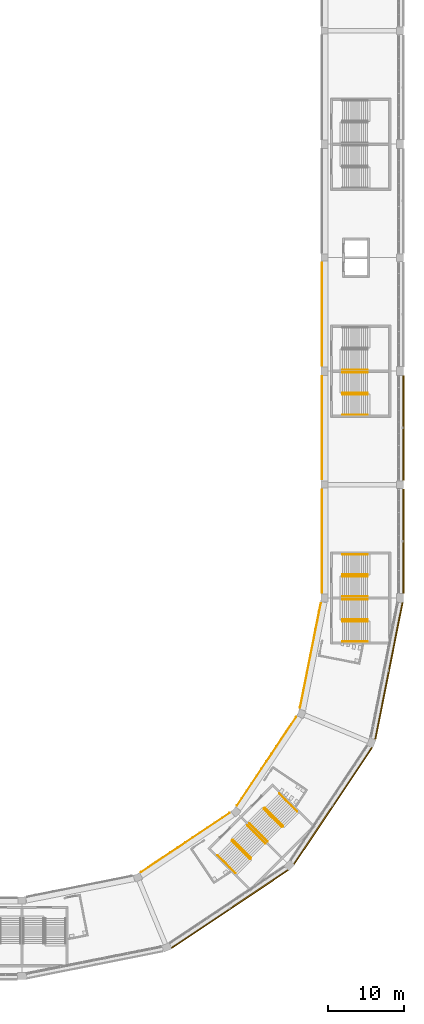
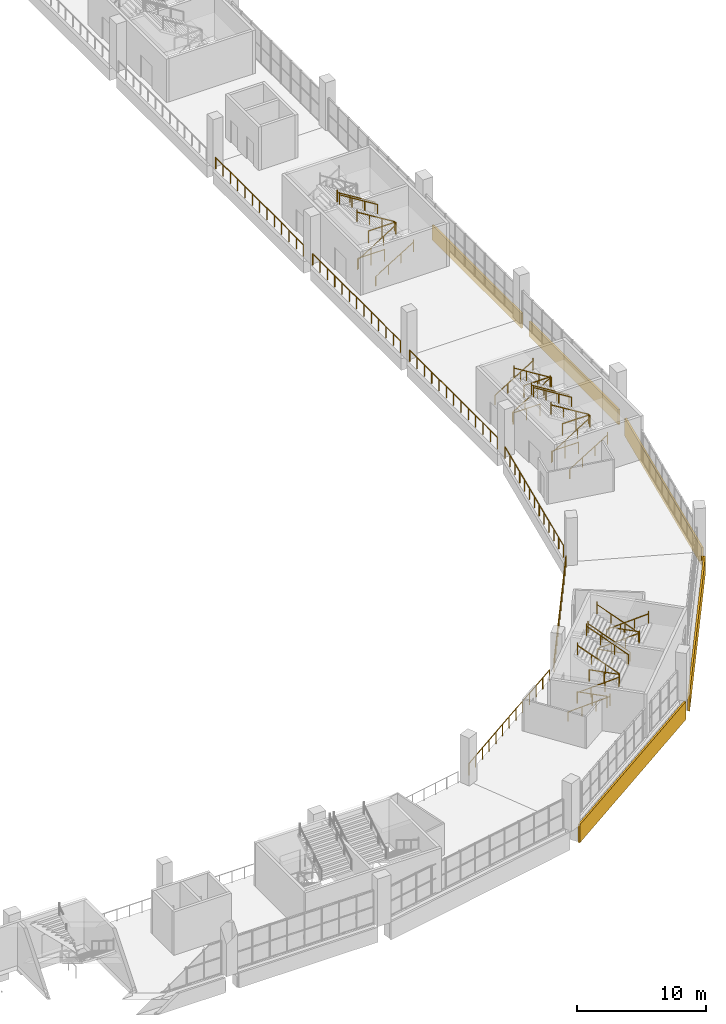
# One storey, part 167 of 177: 37 railings, 5 coverings.
"""IFC4 building model written with IfcOpenShell, lengths in metres."""

from ifc_helpers import new_model, si_unit, direction, frame, origin, origin_2d, place, context, subcontext, project, spatial, polyline, circle, outline, extrude, material, layer, layer_set, type_object, element, save


model = new_model("IFC4")

# Units and contexts
model_context = context("Model", 3, precision=1e-05, world=origin(), true_north=direction((0.0, 1.0)))
body_context = subcontext(model_context, "Body", "Model", "MODEL_VIEW")
ifc_project = project(units=[si_unit("LENGTHUNIT", "METRE"), si_unit("AREAUNIT", "SQUARE_METRE"), si_unit("VOLUMEUNIT", "CUBIC_METRE"), si_unit("PLANEANGLEUNIT", "RADIAN"), si_unit("MASSUNIT", "GRAM", prefix="KILO")], contexts=[model_context])

# Site, building, storey
site_placement = place(None, origin())
site = spatial("IfcSite", under=ifc_project, at=site_placement, CompositionType="ELEMENT")
building_placement = place(site_placement, origin())
building = spatial("IfcBuilding", under=site, at=building_placement, Name="Ogive Plaza Stadium", CompositionType="ELEMENT")
storey_placement = place(building_placement, frame((0.0, 0.0, 18.0)))
storey = spatial("IfcBuildingStorey", under=building, at=storey_placement, Name="L04", CompositionType="ELEMENT", Elevation=18.0)

# Railings
ifc_material_1 = material(Name="Steel ASTM A572 Grade 50", Category="steel")
railing_type_1 = type_object("IfcRailingType", Name="Guard 1100", PredefinedType="GUARDRAIL", material=ifc_material_1)
for number, where, name in (
    (1, (76.35009765625, -25.47509765625, 0.0), "Stair well guard ST06A L04"),
    (2, (77.31005859375, -25.47509765625, 2.25), "Stair well guard ST06A L04"),
    (3, (76.35009765625, -55.47509765625, 0.0), "Stair well guard ST08A L04"),
    (4, (77.31005859375, -55.47509765625, 2.25), "Stair well guard ST08A L04"),
    (5, (76.35009765625, -49.52490234375, 0.0), "Stair well guard ST08B L04"),
    (6, (77.31005859375, -49.52490234375, 2.25), "Stair well guard ST08B L04"),
):
    element("IfcRailing", number, at=place(storey_placement, frame(where)), inside=storey, type_object=railing_type_1, Name=name, PredefinedType="GUARDRAIL", context=body_context, shape_type="SweptSolid", body=[
        extrude(circle(Radius=0.02392578125, at=origin_2d()), frame((0.0, 0.0, 1.076171875), z_axis=(1.0, 0.0, 0.0), x_axis=(0.0, 1.0, 0.0)), (0.0, 0.0, 1.0), 2.39990234375),
        extrude(circle(Radius=0.02099609375, at=origin_2d()), origin(), (0.0, 0.0, 1.0), 1.052001953125),
        extrude(circle(Radius=0.02099609375, at=origin_2d()), frame((1.199951171875, 0.0, 0.0)), (0.0, 0.0, 1.0), 1.052001953125),
        extrude(circle(Radius=0.02099609375, at=origin_2d()), frame((2.39990234375, 0.0, 0.0)), (0.0, 0.0, 1.0), 1.052001953125),
    ])
for number, where, name in (
    (7, (61.84228515625, -84.549560546875, 0.0), "Stair well guard ST10A L04"),
    (8, (62.521240234375, -85.228515625, 2.25), "Stair well guard ST10A L04"),
    (9, (66.049560546875, -80.34228515625, 0.0), "Stair well guard ST10B L04"),
    (10, (66.728515625, -81.021240234375, 2.25), "Stair well guard ST10B L04"),
):
    element("IfcRailing", number, at=place(storey_placement, frame(where)), inside=storey, type_object=railing_type_1, Name=name, PredefinedType="GUARDRAIL", context=body_context, shape_type="SweptSolid", body=[
        extrude(circle(Radius=0.02392578125, at=origin_2d()), frame((0.0, 0.0, 1.076171875), z_axis=(0.707106781187, -0.707106781187, 0.0), x_axis=(0.707106781187, 0.707106781187, 0.0)), (0.0, 0.0, 1.0), 2.39990234375),
        extrude(circle(Radius=0.02099609375, at=origin_2d()), origin(), (0.0, 0.0, 1.0), 1.052001953125),
        extrude(circle(Radius=0.02099609375, at=origin_2d()), frame((0.8486328125, -0.8486328125, 0.0)), (0.0, 0.0, 1.0), 1.052001953125),
        extrude(circle(Radius=0.02099609375, at=origin_2d()), frame((1.697021484375, -1.697021484375, 0.0)), (0.0, 0.0, 1.0), 1.052001953125),
    ])
railing_1_placement = place(storey_placement, frame((73.64990234375, -8.199951171875, 0.0)))
element("IfcRailing", 11, at=railing_1_placement, inside=storey, type_object=railing_type_1, Name="Guard L04 B05", PredefinedType="GUARDRAIL", context=body_context, shape_type="SweptSolid", body=[
    extrude(circle(Radius=0.02392578125, at=origin_2d()), frame((0.0, 0.0, 1.076171875), z_axis=(0.0, -1.0, 0.0), x_axis=(1.0, 0.0, 0.0)), (0.0, 0.0, 1.0), 13.60009765625),
    extrude(circle(Radius=0.02099609375, at=origin_2d()), origin(), (0.0, 0.0, 1.0), 1.052001953125),
    extrude(circle(Radius=0.02099609375, at=origin_2d()), frame((0.0, -1.13330078125, 0.0)), (0.0, 0.0, 1.0), 1.052001953125),
    extrude(circle(Radius=0.02099609375, at=origin_2d()), frame((0.0, -2.2666015625, 0.0)), (0.0, 0.0, 1.0), 1.052001953125),
    extrude(circle(Radius=0.02099609375, at=origin_2d()), frame((0.0, -3.39990234375, 0.0)), (0.0, 0.0, 1.0), 1.052001953125),
    extrude(circle(Radius=0.02099609375, at=origin_2d()), frame((0.0, -4.533447265625, 0.0)), (0.0, 0.0, 1.0), 1.052001953125),
    extrude(circle(Radius=0.02099609375, at=origin_2d()), frame((0.0, -5.666748046875, 0.0)), (0.0, 0.0, 1.0), 1.052001953125),
    extrude(circle(Radius=0.02099609375, at=origin_2d()), frame((0.0, -6.800048828125, 0.0)), (0.0, 0.0, 1.0), 1.052001953125),
    extrude(circle(Radius=0.02099609375, at=origin_2d()), frame((0.0, -7.933349609375, 0.0)), (0.0, 0.0, 1.0), 1.052001953125),
    extrude(circle(Radius=0.02099609375, at=origin_2d()), frame((0.0, -9.066650390625, 0.0)), (0.0, 0.0, 1.0), 1.052001953125),
    extrude(circle(Radius=0.02099609375, at=origin_2d()), frame((0.0, -10.2001953125, 0.0)), (0.0, 0.0, 1.0), 1.052001953125),
    extrude(circle(Radius=0.02099609375, at=origin_2d()), frame((0.0, -11.33349609375, 0.0)), (0.0, 0.0, 1.0), 1.052001953125),
    extrude(circle(Radius=0.02099609375, at=origin_2d()), frame((0.0, -12.466796875, 0.0)), (0.0, 0.0, 1.0), 1.052001953125),
    extrude(circle(Radius=0.02099609375, at=origin_2d()), frame((0.0, -13.60009765625, 0.0)), (0.0, 0.0, 1.0), 1.052001953125),
])
railing_2_placement = place(storey_placement, frame((73.64990234375, -23.199951171875, 0.0)))
element("IfcRailing", 12, at=railing_2_placement, inside=storey, type_object=railing_type_1, Name="Guard L04 B06", PredefinedType="GUARDRAIL", context=body_context, shape_type="SweptSolid", body=[
    extrude(circle(Radius=0.02392578125, at=origin_2d()), frame((0.0, 0.0, 1.076171875), z_axis=(0.0, -1.0, 0.0), x_axis=(1.0, 0.0, 0.0)), (0.0, 0.0, 1.0), 13.60009765625),
    extrude(circle(Radius=0.02099609375, at=origin_2d()), origin(), (0.0, 0.0, 1.0), 1.052001953125),
    extrude(circle(Radius=0.02099609375, at=origin_2d()), frame((0.0, -1.13330078125, 0.0)), (0.0, 0.0, 1.0), 1.052001953125),
    extrude(circle(Radius=0.02099609375, at=origin_2d()), frame((0.0, -2.2666015625, 0.0)), (0.0, 0.0, 1.0), 1.052001953125),
    extrude(circle(Radius=0.02099609375, at=origin_2d()), frame((0.0, -3.39990234375, 0.0)), (0.0, 0.0, 1.0), 1.052001953125),
    extrude(circle(Radius=0.02099609375, at=origin_2d()), frame((0.0, -4.533447265625, 0.0)), (0.0, 0.0, 1.0), 1.052001953125),
    extrude(circle(Radius=0.02099609375, at=origin_2d()), frame((0.0, -5.666748046875, 0.0)), (0.0, 0.0, 1.0), 1.052001953125),
    extrude(circle(Radius=0.02099609375, at=origin_2d()), frame((0.0, -6.800048828125, 0.0)), (0.0, 0.0, 1.0), 1.052001953125),
    extrude(circle(Radius=0.02099609375, at=origin_2d()), frame((0.0, -7.933349609375, 0.0)), (0.0, 0.0, 1.0), 1.052001953125),
    extrude(circle(Radius=0.02099609375, at=origin_2d()), frame((0.0, -9.066650390625, 0.0)), (0.0, 0.0, 1.0), 1.052001953125),
    extrude(circle(Radius=0.02099609375, at=origin_2d()), frame((0.0, -10.2001953125, 0.0)), (0.0, 0.0, 1.0), 1.052001953125),
    extrude(circle(Radius=0.02099609375, at=origin_2d()), frame((0.0, -11.33349609375, 0.0)), (0.0, 0.0, 1.0), 1.052001953125),
    extrude(circle(Radius=0.02099609375, at=origin_2d()), frame((0.0, -12.466796875, 0.0)), (0.0, 0.0, 1.0), 1.052001953125),
    extrude(circle(Radius=0.02099609375, at=origin_2d()), frame((0.0, -13.60009765625, 0.0)), (0.0, 0.0, 1.0), 1.052001953125),
])
railing_3_placement = place(storey_placement, frame((73.64990234375, -38.199951171875, 0.0)))
element("IfcRailing", 13, at=railing_3_placement, inside=storey, type_object=railing_type_1, Name="Guard L04 B07", PredefinedType="GUARDRAIL", context=body_context, shape_type="SweptSolid", body=[
    extrude(circle(Radius=0.02392578125, at=origin_2d()), frame((0.0, 0.0, 1.076171875), z_axis=(0.0, -1.0, 0.0), x_axis=(1.0, 0.0, 0.0)), (0.0, 0.0, 1.0), 13.60009765625),
    extrude(circle(Radius=0.02099609375, at=origin_2d()), origin(), (0.0, 0.0, 1.0), 1.052001953125),
    extrude(circle(Radius=0.02099609375, at=origin_2d()), frame((0.0, -1.13330078125, 0.0)), (0.0, 0.0, 1.0), 1.052001953125),
    extrude(circle(Radius=0.02099609375, at=origin_2d()), frame((0.0, -2.2666015625, 0.0)), (0.0, 0.0, 1.0), 1.052001953125),
    extrude(circle(Radius=0.02099609375, at=origin_2d()), frame((0.0, -3.39990234375, 0.0)), (0.0, 0.0, 1.0), 1.052001953125),
    extrude(circle(Radius=0.02099609375, at=origin_2d()), frame((0.0, -4.533447265625, 0.0)), (0.0, 0.0, 1.0), 1.052001953125),
    extrude(circle(Radius=0.02099609375, at=origin_2d()), frame((0.0, -5.666748046875, 0.0)), (0.0, 0.0, 1.0), 1.052001953125),
    extrude(circle(Radius=0.02099609375, at=origin_2d()), frame((0.0, -6.800048828125, 0.0)), (0.0, 0.0, 1.0), 1.052001953125),
    extrude(circle(Radius=0.02099609375, at=origin_2d()), frame((0.0, -7.933349609375, 0.0)), (0.0, 0.0, 1.0), 1.052001953125),
    extrude(circle(Radius=0.02099609375, at=origin_2d()), frame((0.0, -9.066650390625, 0.0)), (0.0, 0.0, 1.0), 1.052001953125),
    extrude(circle(Radius=0.02099609375, at=origin_2d()), frame((0.0, -10.2001953125, 0.0)), (0.0, 0.0, 1.0), 1.052001953125),
    extrude(circle(Radius=0.02099609375, at=origin_2d()), frame((0.0, -11.33349609375, 0.0)), (0.0, 0.0, 1.0), 1.052001953125),
    extrude(circle(Radius=0.02099609375, at=origin_2d()), frame((0.0, -12.466796875, 0.0)), (0.0, 0.0, 1.0), 1.052001953125),
    extrude(circle(Radius=0.02099609375, at=origin_2d()), frame((0.0, -13.60009765625, 0.0)), (0.0, 0.0, 1.0), 1.052001953125),
])
railing_4_placement = place(storey_placement, frame((73.513427734375, -53.1865234375, 0.0)))
element("IfcRailing", 14, at=railing_4_placement, inside=storey, type_object=railing_type_1, Name="Guard L04 B08", PredefinedType="GUARDRAIL", context=body_context, shape_type="SweptSolid", body=[
    extrude(circle(Radius=0.02392578125, at=origin_2d()), frame((0.0, 0.0, 1.076171875), z_axis=(-0.195094987408, -0.980784352387, 0.0), x_axis=(0.980784352387, -0.195094987408, 0.0)), (0.0, 0.0, 1.0), 14.070556640625),
    extrude(circle(Radius=0.02099609375, at=origin_2d()), origin(), (0.0, 0.0, 1.0), 1.052001953125),
    extrude(circle(Radius=0.02099609375, at=origin_2d()), frame((-0.228759765625, -1.14990234375, 0.0)), (0.0, 0.0, 1.0), 1.052001953125),
    extrude(circle(Radius=0.02099609375, at=origin_2d()), frame((-0.45751953125, -2.300048828125, 0.0)), (0.0, 0.0, 1.0), 1.052001953125),
    extrude(circle(Radius=0.02099609375, at=origin_2d()), frame((-0.686279296875, -3.4501953125, 0.0)), (0.0, 0.0, 1.0), 1.052001953125),
    extrude(circle(Radius=0.02099609375, at=origin_2d()), frame((-0.9150390625, -4.60009765625, 0.0)), (0.0, 0.0, 1.0), 1.052001953125),
    extrude(circle(Radius=0.02099609375, at=origin_2d()), frame((-1.143798828125, -5.75, 0.0)), (0.0, 0.0, 1.0), 1.052001953125),
    extrude(circle(Radius=0.02099609375, at=origin_2d()), frame((-1.37255859375, -6.900146484375, 0.0)), (0.0, 0.0, 1.0), 1.052001953125),
    extrude(circle(Radius=0.02099609375, at=origin_2d()), frame((-1.601318359375, -8.05029296875, 0.0)), (0.0, 0.0, 1.0), 1.052001953125),
    extrude(circle(Radius=0.02099609375, at=origin_2d()), frame((-1.830078125, -9.2001953125, 0.0)), (0.0, 0.0, 1.0), 1.052001953125),
    extrude(circle(Radius=0.02099609375, at=origin_2d()), frame((-2.058837890625, -10.35009765625, 0.0)), (0.0, 0.0, 1.0), 1.052001953125),
    extrude(circle(Radius=0.02099609375, at=origin_2d()), frame((-2.28759765625, -11.500244140625, 0.0)), (0.0, 0.0, 1.0), 1.052001953125),
    extrude(circle(Radius=0.02099609375, at=origin_2d()), frame((-2.516357421875, -12.650390625, 0.0)), (0.0, 0.0, 1.0), 1.052001953125),
    extrude(circle(Radius=0.02099609375, at=origin_2d()), frame((-2.7451171875, -13.80029296875, 0.0)), (0.0, 0.0, 1.0), 1.052001953125),
])
railing_5_placement = place(storey_placement, frame((70.242919921875, -68.25537109375, 0.0)))
element("IfcRailing", 15, at=railing_5_placement, inside=storey, type_object=railing_type_1, Name="Guard L04 B09", PredefinedType="GUARDRAIL", context=body_context, shape_type="SweptSolid", body=[
    extrude(circle(Radius=0.02392578125, at=origin_2d()), frame((0.0, 0.0, 1.076171875), z_axis=(-0.555560774478, -0.83147593222, 0.0), x_axis=(0.83147593222, -0.555560774478, 0.0)), (0.0, 0.0, 1.0), 14.07080078125),
    extrude(circle(Radius=0.02099609375, at=origin_2d()), origin(), (0.0, 0.0, 1.0), 1.052001953125),
    extrude(circle(Radius=0.02099609375, at=origin_2d()), frame((-0.6513671875, -0.974853515625, 0.0)), (0.0, 0.0, 1.0), 1.052001953125),
    extrude(circle(Radius=0.02099609375, at=origin_2d()), frame((-1.302734375, -1.949951171875, 0.0)), (0.0, 0.0, 1.0), 1.052001953125),
    extrude(circle(Radius=0.02099609375, at=origin_2d()), frame((-1.954345703125, -2.9248046875, 0.0)), (0.0, 0.0, 1.0), 1.052001953125),
    extrude(circle(Radius=0.02099609375, at=origin_2d()), frame((-2.605712890625, -3.89990234375, 0.0)), (0.0, 0.0, 1.0), 1.052001953125),
    extrude(circle(Radius=0.02099609375, at=origin_2d()), frame((-3.257080078125, -4.874755859375, 0.0)), (0.0, 0.0, 1.0), 1.052001953125),
    extrude(circle(Radius=0.02099609375, at=origin_2d()), frame((-3.90869140625, -5.849609375, 0.0)), (0.0, 0.0, 1.0), 1.052001953125),
    extrude(circle(Radius=0.02099609375, at=origin_2d()), frame((-4.56005859375, -6.82470703125, 0.0)), (0.0, 0.0, 1.0), 1.052001953125),
    extrude(circle(Radius=0.02099609375, at=origin_2d()), frame((-5.21142578125, -7.799560546875, 0.0)), (0.0, 0.0, 1.0), 1.052001953125),
    extrude(circle(Radius=0.02099609375, at=origin_2d()), frame((-5.86279296875, -8.774658203125, 0.0)), (0.0, 0.0, 1.0), 1.052001953125),
    extrude(circle(Radius=0.02099609375, at=origin_2d()), frame((-6.51416015625, -9.74951171875, 0.0)), (0.0, 0.0, 1.0), 1.052001953125),
    extrude(circle(Radius=0.02099609375, at=origin_2d()), frame((-7.165771484375, -10.724609375, 0.0)), (0.0, 0.0, 1.0), 1.052001953125),
    extrude(circle(Radius=0.02099609375, at=origin_2d()), frame((-7.817138671875, -11.699462890625, 0.0)), (0.0, 0.0, 1.0), 1.052001953125),
])
railing_6_placement = place(storey_placement, frame((61.454833984375, -80.92578125, 0.0)))
element("IfcRailing", 16, at=railing_6_placement, inside=storey, type_object=railing_type_1, Name="Guard L04 B10", PredefinedType="GUARDRAIL", context=body_context, shape_type="SweptSolid", body=[
    extrude(circle(Radius=0.02392578125, at=origin_2d()), frame((0.0, 0.0, 1.076171875), z_axis=(-0.83147593222, -0.555560774478, 0.0), x_axis=(0.555560774478, -0.83147593222, 0.0)), (0.0, 0.0, 1.0), 14.07080078125),
    extrude(circle(Radius=0.02099609375, at=origin_2d()), origin(), (0.0, 0.0, 1.0), 1.052001953125),
    extrude(circle(Radius=0.02099609375, at=origin_2d()), frame((-0.974853515625, -0.6513671875, 0.0)), (0.0, 0.0, 1.0), 1.052001953125),
    extrude(circle(Radius=0.02099609375, at=origin_2d()), frame((-1.949951171875, -1.302734375, 0.0)), (0.0, 0.0, 1.0), 1.052001953125),
    extrude(circle(Radius=0.02099609375, at=origin_2d()), frame((-2.9248046875, -1.954345703125, 0.0)), (0.0, 0.0, 1.0), 1.052001953125),
    extrude(circle(Radius=0.02099609375, at=origin_2d()), frame((-3.89990234375, -2.605712890625, 0.0)), (0.0, 0.0, 1.0), 1.052001953125),
    extrude(circle(Radius=0.02099609375, at=origin_2d()), frame((-4.874755859375, -3.257080078125, 0.0)), (0.0, 0.0, 1.0), 1.052001953125),
    extrude(circle(Radius=0.02099609375, at=origin_2d()), frame((-5.849609375, -3.90869140625, 0.0)), (0.0, 0.0, 1.0), 1.052001953125),
    extrude(circle(Radius=0.02099609375, at=origin_2d()), frame((-6.82470703125, -4.56005859375, 0.0)), (0.0, 0.0, 1.0), 1.052001953125),
    extrude(circle(Radius=0.02099609375, at=origin_2d()), frame((-7.799560546875, -5.21142578125, 0.0)), (0.0, 0.0, 1.0), 1.052001953125),
    extrude(circle(Radius=0.02099609375, at=origin_2d()), frame((-8.774658203125, -5.86279296875, 0.0)), (0.0, 0.0, 1.0), 1.052001953125),
    extrude(circle(Radius=0.02099609375, at=origin_2d()), frame((-9.74951171875, -6.51416015625, 0.0)), (0.0, 0.0, 1.0), 1.052001953125),
    extrude(circle(Radius=0.02099609375, at=origin_2d()), frame((-10.724609375, -7.165771484375, 0.0)), (0.0, 0.0, 1.0), 1.052001953125),
    extrude(circle(Radius=0.02099609375, at=origin_2d()), frame((-11.699462890625, -7.817138671875, 0.0)), (0.0, 0.0, 1.0), 1.052001953125),
])
ifc_material_2 = material(Name="Steel ASTM A572 Grade 50", Category="steel")
railing_type_2 = type_object("IfcRailingType", Name="Handrail 900", PredefinedType="HANDRAIL", material=ifc_material_2)
for number, where, name in (
    (17, (76.35009765625, -28.264892578125, 0.173095703125), "Handrail ST06A L04"),
    (18, (76.35009765625, -25.5849609375, 0.173095703125), "Handrail ST06A L04"),
):
    element("IfcRailing", number, at=place(storey_placement, frame(where)), inside=storey, type_object=railing_type_2, Name=name, PredefinedType="HANDRAIL", context=body_context, shape_type="SweptSolid", body=[
        extrude(circle(Radius=0.02392578125, at=origin_2d()), frame((0.0, 0.0, 0.8759765625), z_axis=(0.850606129759, 0.0, 0.525803396734), x_axis=(0.0, 1.0, 0.0)), (0.0, 0.0, 1.0), 3.949951171875),
        extrude(circle(Radius=0.02099609375, at=origin_2d()), origin(), (0.0, 0.0, 1.0), 0.851806640625),
        extrude(circle(Radius=0.02099609375, at=origin_2d()), frame((1.119873046875, 0.0, 0.6923828125)), (0.0, 0.0, 1.0), 0.851806640625),
        extrude(circle(Radius=0.02099609375, at=origin_2d()), frame((2.239990234375, 0.0, 1.384521484375)), (0.0, 0.0, 1.0), 0.851806640625),
        extrude(circle(Radius=0.02099609375, at=origin_2d()), frame((3.35986328125, 0.0, 2.076904296875)), (0.0, 0.0, 1.0), 1.10009765625),
    ])
for number, where, name in (
    (19, (79.7099609375, -25.364990234375, 2.423095703125), "Handrail ST06A L04"),
    (20, (79.7099609375, -22.68505859375, 2.423095703125), "Handrail ST06A L04"),
    (21, (79.7099609375, -22.31494140625, 2.423095703125), "Handrail ST06B L04"),
):
    element("IfcRailing", number, at=place(storey_placement, frame(where)), inside=storey, type_object=railing_type_2, Name=name, PredefinedType="HANDRAIL", context=body_context, shape_type="SweptSolid", body=[
        extrude(circle(Radius=0.02392578125, at=origin_2d()), frame((0.0, 0.0, 0.8759765625), z_axis=(-0.850606129759, 0.0, 0.525803396734), x_axis=(0.0, -1.0, 0.0)), (0.0, 0.0, 1.0), 3.949951171875),
        extrude(circle(Radius=0.02099609375, at=origin_2d()), origin(), (0.0, 0.0, 1.0), 0.851806640625),
        extrude(circle(Radius=0.02099609375, at=origin_2d()), frame((-1.119873046875, 0.0, 0.6923828125)), (0.0, 0.0, 1.0), 0.851806640625),
        extrude(circle(Radius=0.02099609375, at=origin_2d()), frame((-2.239990234375, 0.0, 1.384521484375)), (0.0, 0.0, 1.0), 0.851806640625),
        extrude(circle(Radius=0.02099609375, at=origin_2d()), frame((-3.35986328125, 0.0, 2.076904296875)), (0.0, 0.0, 1.0), 1.10009765625),
    ])
for number, where, name in (
    (22, (76.35009765625, -58.264892578125, 0.173095703125), "Handrail ST08A L04"),
    (23, (76.35009765625, -55.5849609375, 0.173095703125), "Handrail ST08A L04"),
):
    element("IfcRailing", number, at=place(storey_placement, frame(where)), inside=storey, type_object=railing_type_2, Name=name, PredefinedType="HANDRAIL", context=body_context, shape_type="SweptSolid", body=[
        extrude(circle(Radius=0.02392578125, at=origin_2d()), frame((0.0, 0.0, 0.8759765625), z_axis=(0.850606129759, 0.0, 0.525803396734), x_axis=(0.0, 1.0, 0.0)), (0.0, 0.0, 1.0), 3.949951171875),
        extrude(circle(Radius=0.02099609375, at=origin_2d()), origin(), (0.0, 0.0, 1.0), 0.851806640625),
        extrude(circle(Radius=0.02099609375, at=origin_2d()), frame((1.119873046875, 0.0, 0.6923828125)), (0.0, 0.0, 1.0), 0.851806640625),
        extrude(circle(Radius=0.02099609375, at=origin_2d()), frame((2.239990234375, 0.0, 1.384521484375)), (0.0, 0.0, 1.0), 0.851806640625),
        extrude(circle(Radius=0.02099609375, at=origin_2d()), frame((3.35986328125, 0.0, 2.076904296875)), (0.0, 0.0, 1.0), 1.10009765625),
    ])
for number, where, name in (
    (24, (79.7099609375, -55.364990234375, 2.423095703125), "Handrail ST08A L04"),
    (25, (79.7099609375, -52.68505859375, 2.423095703125), "Handrail ST08A L04"),
):
    element("IfcRailing", number, at=place(storey_placement, frame(where)), inside=storey, type_object=railing_type_2, Name=name, PredefinedType="HANDRAIL", context=body_context, shape_type="SweptSolid", body=[
        extrude(circle(Radius=0.02392578125, at=origin_2d()), frame((0.0, 0.0, 0.8759765625), z_axis=(-0.850606129759, 0.0, 0.525803396734), x_axis=(0.0, -1.0, 0.0)), (0.0, 0.0, 1.0), 3.949951171875),
        extrude(circle(Radius=0.02099609375, at=origin_2d()), origin(), (0.0, 0.0, 1.0), 0.851806640625),
        extrude(circle(Radius=0.02099609375, at=origin_2d()), frame((-1.119873046875, 0.0, 0.6923828125)), (0.0, 0.0, 1.0), 0.851806640625),
        extrude(circle(Radius=0.02099609375, at=origin_2d()), frame((-2.239990234375, 0.0, 1.384521484375)), (0.0, 0.0, 1.0), 0.851806640625),
        extrude(circle(Radius=0.02099609375, at=origin_2d()), frame((-3.35986328125, 0.0, 2.076904296875)), (0.0, 0.0, 1.0), 1.10009765625),
    ])
for number, where, name in (
    (26, (76.35009765625, -49.4150390625, 0.173095703125), "Handrail ST08B L04"),
    (27, (76.35009765625, -46.735107421875, 0.173095703125), "Handrail ST08B L04"),
):
    element("IfcRailing", number, at=place(storey_placement, frame(where)), inside=storey, type_object=railing_type_2, Name=name, PredefinedType="HANDRAIL", context=body_context, shape_type="SweptSolid", body=[
        extrude(circle(Radius=0.02392578125, at=origin_2d()), frame((0.0, 0.0, 0.8759765625), z_axis=(0.850606129759, 0.0, 0.525803396734), x_axis=(0.0, 1.0, 0.0)), (0.0, 0.0, 1.0), 3.949951171875),
        extrude(circle(Radius=0.02099609375, at=origin_2d()), origin(), (0.0, 0.0, 1.0), 0.851806640625),
        extrude(circle(Radius=0.02099609375, at=origin_2d()), frame((1.119873046875, 0.0, 0.6923828125)), (0.0, 0.0, 1.0), 0.851806640625),
        extrude(circle(Radius=0.02099609375, at=origin_2d()), frame((2.239990234375, 0.0, 1.384521484375)), (0.0, 0.0, 1.0), 0.851806640625),
        extrude(circle(Radius=0.02099609375, at=origin_2d()), frame((3.35986328125, 0.0, 2.076904296875)), (0.0, 0.0, 1.0), 1.10009765625),
    ])
for number, where, name in (
    (28, (79.7099609375, -52.31494140625, 2.423095703125), "Handrail ST08B L04"),
    (29, (79.7099609375, -49.635009765625, 2.423095703125), "Handrail ST08B L04"),
):
    element("IfcRailing", number, at=place(storey_placement, frame(where)), inside=storey, type_object=railing_type_2, Name=name, PredefinedType="HANDRAIL", context=body_context, shape_type="SweptSolid", body=[
        extrude(circle(Radius=0.02392578125, at=origin_2d()), frame((0.0, 0.0, 0.8759765625), z_axis=(-0.850606129759, 0.0, 0.525803396734), x_axis=(0.0, -1.0, 0.0)), (0.0, 0.0, 1.0), 3.949951171875),
        extrude(circle(Radius=0.02099609375, at=origin_2d()), origin(), (0.0, 0.0, 1.0), 0.851806640625),
        extrude(circle(Radius=0.02099609375, at=origin_2d()), frame((-1.119873046875, 0.0, 0.6923828125)), (0.0, 0.0, 1.0), 0.851806640625),
        extrude(circle(Radius=0.02099609375, at=origin_2d()), frame((-2.239990234375, 0.0, 1.384521484375)), (0.0, 0.0, 1.0), 0.851806640625),
        extrude(circle(Radius=0.02099609375, at=origin_2d()), frame((-3.35986328125, 0.0, 2.076904296875)), (0.0, 0.0, 1.0), 1.10009765625),
    ])
railing_7_placement = place(storey_placement, frame((59.869384765625, -86.5224609375, 0.173095703125)))
element("IfcRailing", 30, at=railing_7_placement, inside=storey, type_object=railing_type_2, Name="Handrail ST10A L04", PredefinedType="HANDRAIL", context=body_context, shape_type="SweptSolid", body=[
    extrude(circle(Radius=0.02392578125, at=origin_2d()), frame((0.0, 0.0, 0.8759765625), z_axis=(0.601482971545, -0.601482971545, 0.525772260474), x_axis=(0.707106781187, 0.707106781187, 0.0)), (0.0, 0.0, 1.0), 3.9501953125),
    extrude(circle(Radius=0.02099609375, at=origin_2d()), origin(), (0.0, 0.0, 1.0), 0.851806640625),
    extrude(circle(Radius=0.02099609375, at=origin_2d()), frame((0.7919921875, -0.7919921875, 0.6923828125)), (0.0, 0.0, 1.0), 0.851806640625),
    extrude(circle(Radius=0.02099609375, at=origin_2d()), frame((1.583984375, -1.583984375, 1.384521484375)), (0.0, 0.0, 1.0), 0.851806640625),
    extrude(circle(Radius=0.02099609375, at=origin_2d()), frame((2.3759765625, -2.3759765625, 2.076904296875)), (0.0, 0.0, 1.0), 1.10009765625),
])
railing_8_placement = place(storey_placement, frame((61.7646484375, -84.62744140625, 0.173095703125)))
element("IfcRailing", 31, at=railing_8_placement, inside=storey, type_object=railing_type_2, Name="Handrail ST10A L04", PredefinedType="HANDRAIL", context=body_context, shape_type="SweptSolid", body=[
    extrude(circle(Radius=0.02392578125, at=origin_2d()), frame((0.0, 0.0, 0.8759765625), z_axis=(0.601465884576, -0.601465884576, 0.525811353416), x_axis=(0.707106781187, 0.707106781187, 0.0)), (0.0, 0.0, 1.0), 3.949951171875),
    extrude(circle(Radius=0.02099609375, at=origin_2d()), origin(), (0.0, 0.0, 1.0), 0.851806640625),
    extrude(circle(Radius=0.02099609375, at=origin_2d()), frame((0.7919921875, -0.7919921875, 0.6923828125)), (0.0, 0.0, 1.0), 0.851806640625),
    extrude(circle(Radius=0.02099609375, at=origin_2d()), frame((1.583740234375, -1.583740234375, 1.384521484375)), (0.0, 0.0, 1.0), 0.851806640625),
    extrude(circle(Radius=0.02099609375, at=origin_2d()), frame((2.375732421875, -2.375732421875, 2.076904296875)), (0.0, 0.0, 1.0), 1.10009765625),
])
for number, where, name in (
    (32, (64.2958984375, -86.84765625, 2.423095703125), "Handrail ST10A L04"),
    (33, (66.19091796875, -84.95263671875, 2.423095703125), "Handrail ST10A L04"),
):
    element("IfcRailing", number, at=place(storey_placement, frame(where)), inside=storey, type_object=railing_type_2, Name=name, PredefinedType="HANDRAIL", context=body_context, shape_type="SweptSolid", body=[
        extrude(circle(Radius=0.02392578125, at=origin_2d()), frame((0.0, 0.0, 0.8759765625), z_axis=(-0.601465884576, 0.601465884576, 0.525811353416), x_axis=(-0.707106781187, -0.707106781187, 0.0)), (0.0, 0.0, 1.0), 3.949951171875),
        extrude(circle(Radius=0.02099609375, at=origin_2d()), origin(), (0.0, 0.0, 1.0), 0.851806640625),
        extrude(circle(Radius=0.02099609375, at=origin_2d()), frame((-0.7919921875, 0.7919921875, 0.6923828125)), (0.0, 0.0, 1.0), 0.851806640625),
        extrude(circle(Radius=0.02099609375, at=origin_2d()), frame((-1.583740234375, 1.583740234375, 1.384521484375)), (0.0, 0.0, 1.0), 0.851806640625),
        extrude(circle(Radius=0.02099609375, at=origin_2d()), frame((-2.375732421875, 2.375732421875, 2.076904296875)), (0.0, 0.0, 1.0), 1.10009765625),
    ])
railing_9_placement = place(storey_placement, frame((66.12744140625, -80.2646484375, 0.173095703125)))
element("IfcRailing", 34, at=railing_9_placement, inside=storey, type_object=railing_type_2, Name="Handrail ST10B L04", PredefinedType="HANDRAIL", context=body_context, shape_type="SweptSolid", body=[
    extrude(circle(Radius=0.02392578125, at=origin_2d()), frame((0.0, 0.0, 0.8759765625), z_axis=(0.601465884576, -0.601465884576, 0.525811353416), x_axis=(0.707106781187, 0.707106781187, 0.0)), (0.0, 0.0, 1.0), 3.949951171875),
    extrude(circle(Radius=0.02099609375, at=origin_2d()), origin(), (0.0, 0.0, 1.0), 0.851806640625),
    extrude(circle(Radius=0.02099609375, at=origin_2d()), frame((0.7919921875, -0.7919921875, 0.6923828125)), (0.0, 0.0, 1.0), 0.851806640625),
    extrude(circle(Radius=0.02099609375, at=origin_2d()), frame((1.583740234375, -1.583740234375, 1.384521484375)), (0.0, 0.0, 1.0), 0.851806640625),
    extrude(circle(Radius=0.02099609375, at=origin_2d()), frame((2.375732421875, -2.375732421875, 2.076904296875)), (0.0, 0.0, 1.0), 1.10009765625),
])
railing_10_placement = place(storey_placement, frame((68.0224609375, -78.369384765625, 0.173095703125)))
element("IfcRailing", 35, at=railing_10_placement, inside=storey, type_object=railing_type_2, Name="Handrail ST10B L04", PredefinedType="HANDRAIL", context=body_context, shape_type="SweptSolid", body=[
    extrude(circle(Radius=0.02392578125, at=origin_2d()), frame((0.0, 0.0, 0.8759765625), z_axis=(0.601482971545, -0.601482971545, 0.525772260474), x_axis=(0.707106781187, 0.707106781187, 0.0)), (0.0, 0.0, 1.0), 3.9501953125),
    extrude(circle(Radius=0.02099609375, at=origin_2d()), origin(), (0.0, 0.0, 1.0), 0.851806640625),
    extrude(circle(Radius=0.02099609375, at=origin_2d()), frame((0.7919921875, -0.7919921875, 0.6923828125)), (0.0, 0.0, 1.0), 0.851806640625),
    extrude(circle(Radius=0.02099609375, at=origin_2d()), frame((1.583984375, -1.583984375, 1.384521484375)), (0.0, 0.0, 1.0), 0.851806640625),
    extrude(circle(Radius=0.02099609375, at=origin_2d()), frame((2.3759765625, -2.3759765625, 2.076904296875)), (0.0, 0.0, 1.0), 1.10009765625),
])
for number, where, name in (
    (36, (66.45263671875, -84.69091796875, 2.423095703125), "Handrail ST10B L04"),
    (37, (68.34765625, -82.7958984375, 2.423095703125), "Handrail ST10B L04"),
):
    element("IfcRailing", number, at=place(storey_placement, frame(where)), inside=storey, type_object=railing_type_2, Name=name, PredefinedType="HANDRAIL", context=body_context, shape_type="SweptSolid", body=[
        extrude(circle(Radius=0.02392578125, at=origin_2d()), frame((0.0, 0.0, 0.8759765625), z_axis=(-0.601465884576, 0.601465884576, 0.525811353416), x_axis=(-0.707106781187, -0.707106781187, 0.0)), (0.0, 0.0, 1.0), 3.949951171875),
        extrude(circle(Radius=0.02099609375, at=origin_2d()), origin(), (0.0, 0.0, 1.0), 0.851806640625),
        extrude(circle(Radius=0.02099609375, at=origin_2d()), frame((-0.7919921875, 0.7919921875, 0.6923828125)), (0.0, 0.0, 1.0), 0.851806640625),
        extrude(circle(Radius=0.02099609375, at=origin_2d()), frame((-1.583740234375, 1.583740234375, 1.384521484375)), (0.0, 0.0, 1.0), 0.851806640625),
        extrude(circle(Radius=0.02099609375, at=origin_2d()), frame((-2.375732421875, 2.375732421875, 2.076904296875)), (0.0, 0.0, 1.0), 1.10009765625),
    ])

# Coverings
ifc_material_3 = material(Name="Cast stone (reconstituted limestone)", Category="masonry")
ifc_layer = layer(ifc_material_3, 0.159912109375)
ifc_layer_set = layer_set([ifc_layer], Name="Precast spandrel cladding 160")
covering_type = type_object("IfcCoveringType", Name="Precast spandrel cladding 160", PredefinedType="CLADDING", material=ifc_layer_set)
covering_1_placement = place(storey_placement, frame((0.0, 0.0, -1.409912109375)))
element("IfcCovering", 38, at=covering_1_placement, inside=storey, type_object=covering_type, Name="SPANDREL CLADDING B06 L04", PredefinedType="CLADDING", context=body_context, shape_type="SweptSolid", body=[
    extrude(outline(polyline([(84.35009765625, -23.10009765625), (84.35009765625, -36.89990234375), (84.510009765625, -36.89990234375), (84.510009765625, -23.10009765625), (84.35009765625, -23.10009765625)])), origin(), (0.0, 0.0, 1.0), 1.409912109375),
])
covering_2_placement = place(storey_placement, frame((0.0, 0.0, -1.409912109375)))
element("IfcCovering", 39, at=covering_2_placement, inside=storey, type_object=covering_type, Name="SPANDREL CLADDING B07 L04", PredefinedType="CLADDING", context=body_context, shape_type="SweptSolid", body=[
    extrude(outline(polyline([(84.35009765625, -38.10009765625), (84.35009765625, -51.89990234375), (84.510009765625, -51.89990234375), (84.510009765625, -38.10009765625), (84.35009765625, -38.10009765625)])), origin(), (0.0, 0.0, 1.0), 1.409912109375),
])
covering_3_placement = place(storey_placement, frame((0.0, 0.0, -1.7099609375)))
element("IfcCovering", 40, at=covering_3_placement, inside=storey, type_object=covering_type, Name="SPANDREL CLADDING B08 L04", PredefinedType="CLADDING", context=body_context, shape_type="SweptSolid", body=[
    extrude(outline(polyline([(84.237548828125, -53.10009765625), (80.64306640625, -71.170654296875), (80.800048828125, -71.201904296875), (84.39453125, -53.131103515625), (84.237548828125, -53.10009765625)])), origin(), (0.0, 0.0, 1.0), 1.7099609375),
])
covering_4_placement = place(storey_placement, frame((0.0, 0.0, -1.7099609375)))
element("IfcCovering", 41, at=covering_4_placement, inside=storey, type_object=covering_type, Name="SPANDREL CLADDING B09 L04", PredefinedType="CLADDING", context=body_context, shape_type="SweptSolid", body=[
    extrude(outline(polyline([(80.212158203125, -72.237060546875), (69.919189453125, -87.641357421875), (70.05224609375, -87.730224609375), (80.34521484375, -72.325927734375), (80.212158203125, -72.237060546875)])), origin(), (0.0, 0.0, 1.0), 1.7099609375),
])
covering_5_placement = place(storey_placement, frame((0.0, 0.0, -1.7099609375)))
element("IfcCovering", 42, at=covering_5_placement, inside=storey, type_object=covering_type, Name="SPANDREL CLADDING B10 L04", PredefinedType="CLADDING", context=body_context, shape_type="SweptSolid", body=[
    extrude(outline(polyline([(69.141357421875, -88.419189453125), (53.737060546875, -98.712158203125), (53.825927734375, -98.84521484375), (69.230224609375, -88.55224609375), (69.141357421875, -88.419189453125)])), origin(), (0.0, 0.0, 1.0), 1.7099609375),
])

save(model, "model.ifc")
